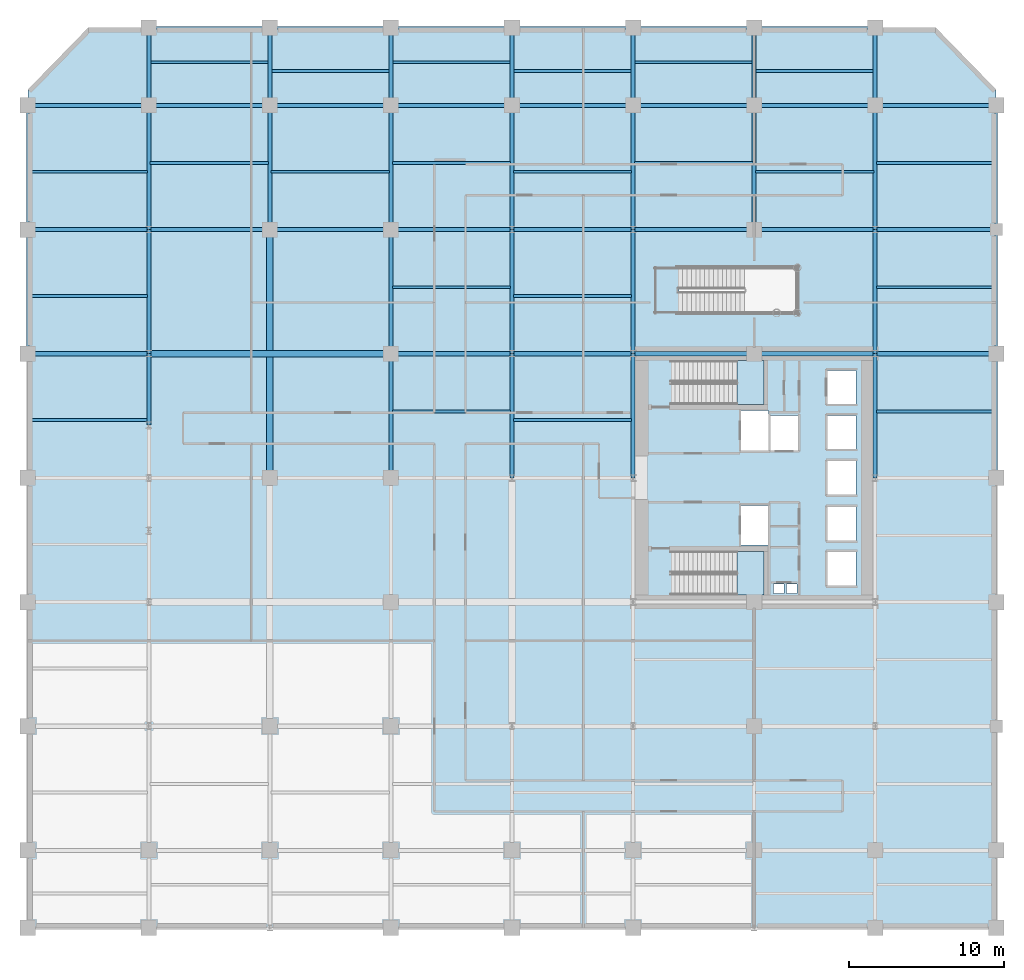
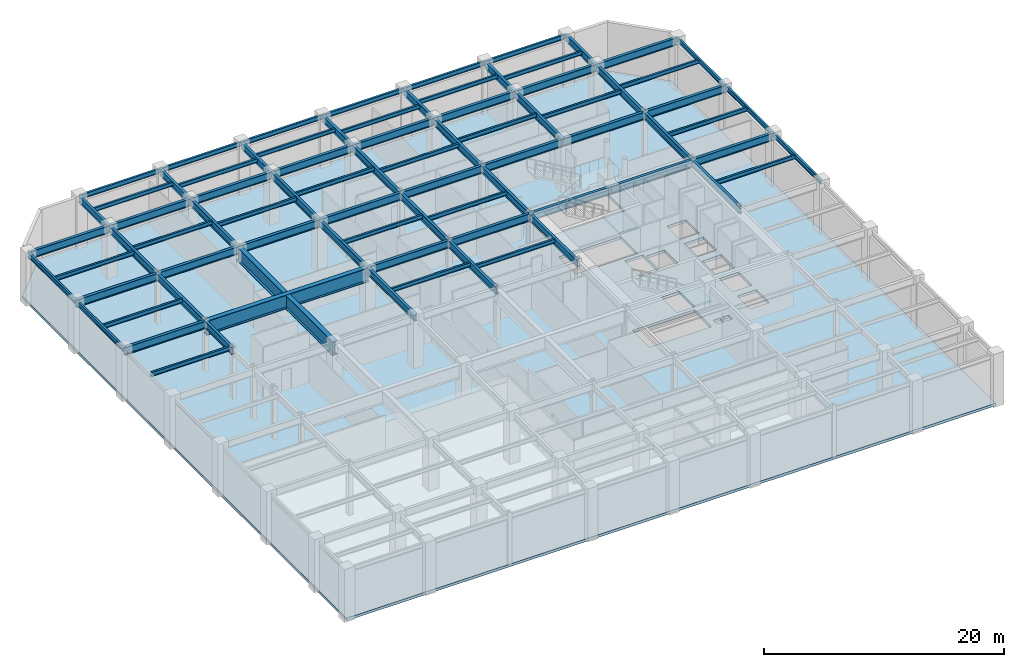
# One storey, part 6 of 12: 81 beams, 3 slabs, 2 elements without a shape of their own.
"""IFC4 building model written with IfcOpenShell, lengths in metres."""

from ifc_helpers import new_model, si_unit, direction, frame, origin, origin_2d, place, context, subcontext, project, spatial, polyline, i_section, outline, extrude, material, layer, layer_set, material_profile, profile_set, type_object, element, aggregate, save


model = new_model("IFC4")

# Units and contexts
model_context = context("Model", 3, precision=1e-05, world=origin(), true_north=direction((0.0, 1.0)))
body_context = subcontext(model_context, "Body", "Model", "MODEL_VIEW")
ifc_project = project(units=[si_unit("LENGTHUNIT", "METRE"), si_unit("AREAUNIT", "SQUARE_METRE"), si_unit("VOLUMEUNIT", "CUBIC_METRE"), si_unit("PLANEANGLEUNIT", "RADIAN"), si_unit("MASSUNIT", "GRAM", prefix="KILO")], contexts=[model_context])

# Site, building, storey
site_placement = place(None, origin())
site = spatial("IfcSite", under=ifc_project, at=site_placement, CompositionType="ELEMENT")
building_placement = place(site_placement, origin())
building = spatial("IfcBuilding", under=site, at=building_placement, Name="Veymaron Broadcast Tower", CompositionType="ELEMENT")
storey_placement = place(building_placement, frame((0.0, 0.0, 10.800048828125)))
storey = spatial("IfcBuildingStorey", under=building, at=storey_placement, Name="L02", CompositionType="ELEMENT", Elevation=10.800048828125)

# Beams
ifc_material_1 = material(Name="Structural steel ASTM A992 Gr 50", Category="steel")
ifc_material_profile_1 = material_profile(ifc_material_1, i_section(OverallWidth=0.177978515625, OverallDepth=0.406982421875, WebThickness=0.0078125, FlangeThickness=0.0126953125, at=origin_2d()), Name="W410X60")
ifc_profile_set_1 = profile_set([ifc_material_profile_1], Name="Structural steel ASTM A992 Gr 50")
beam_type_1 = type_object("IfcBeamType", Name="BM-JS1", PredefinedType="JOIST", material=ifc_profile_set_1)
for number, where, z_axis, x_axis, name in (
    (1, (0.0849609375, 27.719970703125, 4.91650390625), (1.0, 0.0, 0.0), (0.0, 1.0, 0.0), "L02 podium secondary floor joist"),
    (2, (0.0849609375, 35.719970703125, 4.91650390625), (1.0, 0.0, 0.0), (0.0, 1.0, 0.0), "L02 podium secondary floor joist"),
    (3, (0.0849609375, 43.719970703125, 4.91650390625), (1.0, 0.0, 0.0), (0.0, 1.0, 0.0), "L02 podium secondary floor joist"),
):
    element("IfcBeam", number, at=place(storey_placement, frame(where, z_axis=z_axis, x_axis=x_axis)), inside=storey, type_object=beam_type_1, Name=name, PredefinedType="JOIST", context=body_context, shape_type="SweptSolid", body=[
        extrude(i_section(OverallWidth=0.177978515625, OverallDepth=0.406982421875, WebThickness=0.0078125, FlangeThickness=0.0126953125, at=origin_2d()), origin(), (0.0, 0.0, 1.0), 7.630126953125),
    ])
for number, where, z_axis, x_axis, name in (
    (4, (7.885009765625, 44.280029296875, 4.91650390625), (1.0, 0.0, 0.0), (0.0, 1.0, 0.0), "L02 podium secondary floor joist"),
    (5, (7.885009765625, 50.780029296875, 4.91650390625), (1.0, 0.0, 0.0), (0.0, 1.0, 0.0), "L02 podium secondary floor joist"),
    (6, (15.68505859375, 43.719970703125, 4.91650390625), (1.0, 0.0, 0.0), (0.0, 1.0, 0.0), "L02 podium secondary floor joist"),
    (7, (15.68505859375, 50.219970703125, 4.91650390625), (1.0, 0.0, 0.0), (0.0, 1.0, 0.0), "L02 podium secondary floor joist"),
    (8, (23.485107421875, 28.280029296875, 4.91650390625), (1.0, 0.0, 0.0), (0.0, 1.0, 0.0), "L02 podium secondary floor joist"),
    (9, (23.485107421875, 36.280029296875, 4.91650390625), (1.0, 0.0, 0.0), (0.0, 1.0, 0.0), "L02 podium secondary floor joist"),
    (10, (23.485107421875, 44.280029296875, 4.91650390625), (1.0, 0.0, 0.0), (0.0, 1.0, 0.0), "L02 podium secondary floor joist"),
    (11, (23.485107421875, 50.780029296875, 4.91650390625), (1.0, 0.0, 0.0), (0.0, 1.0, 0.0), "L02 podium secondary floor joist"),
):
    element("IfcBeam", number, at=place(storey_placement, frame(where, z_axis=z_axis, x_axis=x_axis)), inside=storey, type_object=beam_type_1, Name=name, PredefinedType="JOIST", context=body_context, shape_type="SweptSolid", body=[
        extrude(i_section(OverallWidth=0.177978515625, OverallDepth=0.406982421875, WebThickness=0.0078125, FlangeThickness=0.0126953125, at=origin_2d()), origin(), (0.0, 0.0, 1.0), 7.6298828125),
    ])
for number, where, z_axis, x_axis, name in (
    (12, (31.284912109375, 27.719970703125, 4.91650390625), (1.0, 0.0, 0.0), (0.0, 1.0, 0.0), "L02 podium secondary floor joist"),
    (13, (31.284912109375, 35.719970703125, 4.91650390625), (1.0, 0.0, 0.0), (0.0, 1.0, 0.0), "L02 podium secondary floor joist"),
    (14, (31.284912109375, 43.719970703125, 4.91650390625), (1.0, 0.0, 0.0), (0.0, 1.0, 0.0), "L02 podium secondary floor joist"),
    (15, (31.284912109375, 50.219970703125, 4.91650390625), (1.0, 0.0, 0.0), (0.0, 1.0, 0.0), "L02 podium secondary floor joist"),
    (16, (39.0849609375, 44.280029296875, 4.91650390625), (1.0, 0.0, 0.0), (0.0, 1.0, 0.0), "L02 podium secondary floor joist"),
    (17, (39.0849609375, 50.780029296875, 4.91650390625), (1.0, 0.0, 0.0), (0.0, 1.0, 0.0), "L02 podium secondary floor joist"),
):
    element("IfcBeam", number, at=place(storey_placement, frame(where, z_axis=z_axis, x_axis=x_axis)), inside=storey, type_object=beam_type_1, Name=name, PredefinedType="JOIST", context=body_context, shape_type="SweptSolid", body=[
        extrude(i_section(OverallWidth=0.177978515625, OverallDepth=0.406982421875, WebThickness=0.0078125, FlangeThickness=0.0126953125, at=origin_2d()), origin(), (0.0, 0.0, 1.0), 7.630126953125),
    ])
for number, where, z_axis, x_axis, name in (
    (18, (46.885009765625, 43.719970703125, 4.91650390625), (1.0, 0.0, 0.0), (0.0, 1.0, 0.0), "L02 podium secondary floor joist"),
    (19, (46.885009765625, 50.219970703125, 4.91650390625), (1.0, 0.0, 0.0), (0.0, 1.0, 0.0), "L02 podium secondary floor joist"),
    (20, (54.68505859375, 28.280029296875, 4.91650390625), (1.0, 0.0, 0.0), (0.0, 1.0, 0.0), "L02 podium secondary floor joist"),
    (21, (54.68505859375, 36.280029296875, 4.91650390625), (1.0, 0.0, 0.0), (0.0, 1.0, 0.0), "L02 podium secondary floor joist"),
    (22, (54.68505859375, 44.280029296875, 4.91650390625), (1.0, 0.0, 0.0), (0.0, 1.0, 0.0), "L02 podium secondary floor joist"),
):
    element("IfcBeam", number, at=place(storey_placement, frame(where, z_axis=z_axis, x_axis=x_axis)), inside=storey, type_object=beam_type_1, Name=name, PredefinedType="JOIST", context=body_context, shape_type="SweptSolid", body=[
        extrude(i_section(OverallWidth=0.177978515625, OverallDepth=0.406982421875, WebThickness=0.0078125, FlangeThickness=0.0126953125, at=origin_2d()), origin(), (0.0, 0.0, 1.0), 7.6298828125),
    ])
ifc_material_profile_2 = material_profile(ifc_material_1, i_section(OverallWidth=0.26806640625, OverallDepth=0.77001953125, WebThickness=0.015625, FlangeThickness=0.025390625, at=origin_2d()), Name="W760X196")
ifc_profile_set_2 = profile_set([ifc_material_profile_2], Name="Structural steel ASTM A992 Gr 50")
beam_type_2 = type_object("IfcBeamType", Name="BM-PG1", PredefinedType="BEAM", material=ifc_profile_set_2)
for number, where, z_axis, x_axis, name in (
    (23, (0.0, 32.0, 4.73486328125), (1.0, 0.0, 0.0), (0.0, 1.0, 0.0), "L02 podium primary X-girder"),
    (24, (23.39990234375, 32.0, 4.73486328125), (1.0, 0.0, 0.0), (0.0, 1.0, 0.0), "L02 podium primary X-girder"),
    (25, (31.199951171875, 32.0, 4.73486328125), (1.0, 0.0, 0.0), (0.0, 1.0, 0.0), "L02 podium primary X-girder"),
    (26, (39.0, 32.0, 4.73486328125), (1.0, 0.0, 0.0), (0.0, 1.0, 0.0), "L02 podium primary X-girder"),
    (27, (46.800048828125, 32.0, 4.73486328125), (1.0, 0.0, 0.0), (0.0, 1.0, 0.0), "L02 podium primary X-girder"),
):
    element("IfcBeam", number, at=place(storey_placement, frame(where, z_axis=z_axis, x_axis=x_axis)), inside=storey, type_object=beam_type_2, Name=name, PredefinedType="BEAM", context=body_context, shape_type="SweptSolid", body=[
        extrude(i_section(OverallWidth=0.26806640625, OverallDepth=0.77001953125, WebThickness=0.015625, FlangeThickness=0.025390625, at=origin_2d()), origin(), (0.0, 0.0, 1.0), 7.800048828125),
    ])
beam_1_placement = place(storey_placement, frame((54.60009765625, 32.0, 4.73486328125), z_axis=(1.0, 0.0, 0.0), x_axis=(0.0, 1.0, 0.0)))
element("IfcBeam", 28, at=beam_1_placement, inside=storey, type_object=beam_type_2, Name="L02 podium primary X-girder", PredefinedType="BEAM", context=body_context, shape_type="SweptSolid", body=[
    extrude(i_section(OverallWidth=0.26806640625, OverallDepth=0.77001953125, WebThickness=0.015625, FlangeThickness=0.025390625, at=origin_2d()), origin(), (0.0, 0.0, 1.0), 7.7998046875),
])
for number, where, z_axis, x_axis, name in (
    (29, (0.0, 40.0, 4.73486328125), (1.0, 0.0, 0.0), (0.0, 1.0, 0.0), "L02 podium primary X-girder"),
    (30, (7.800048828125, 40.0, 4.73486328125), (1.0, 0.0, 0.0), (0.0, 1.0, 0.0), "L02 podium primary X-girder"),
):
    element("IfcBeam", number, at=place(storey_placement, frame(where, z_axis=z_axis, x_axis=x_axis)), inside=storey, type_object=beam_type_2, Name=name, PredefinedType="BEAM", context=body_context, shape_type="SweptSolid", body=[
        extrude(i_section(OverallWidth=0.26806640625, OverallDepth=0.77001953125, WebThickness=0.015625, FlangeThickness=0.025390625, at=origin_2d()), origin(), (0.0, 0.0, 1.0), 7.800048828125),
    ])
beam_2_placement = place(storey_placement, frame((15.60009765625, 40.0, 4.73486328125), z_axis=(1.0, 0.0, 0.0), x_axis=(0.0, 1.0, 0.0)))
element("IfcBeam", 31, at=beam_2_placement, inside=storey, type_object=beam_type_2, Name="L02 podium primary X-girder", PredefinedType="BEAM", context=body_context, shape_type="SweptSolid", body=[
    extrude(i_section(OverallWidth=0.26806640625, OverallDepth=0.77001953125, WebThickness=0.015625, FlangeThickness=0.025390625, at=origin_2d()), origin(), (0.0, 0.0, 1.0), 7.7998046875),
])
for number, where, z_axis, x_axis, name in (
    (32, (23.39990234375, 40.0, 4.73486328125), (1.0, 0.0, 0.0), (0.0, 1.0, 0.0), "L02 podium primary X-girder"),
    (33, (31.199951171875, 40.0, 4.73486328125), (1.0, 0.0, 0.0), (0.0, 1.0, 0.0), "L02 podium primary X-girder"),
    (34, (39.0, 40.0, 4.73486328125), (1.0, 0.0, 0.0), (0.0, 1.0, 0.0), "L02 podium primary X-girder"),
    (35, (46.800048828125, 40.0, 4.73486328125), (1.0, 0.0, 0.0), (0.0, 1.0, 0.0), "L02 podium primary X-girder"),
):
    element("IfcBeam", number, at=place(storey_placement, frame(where, z_axis=z_axis, x_axis=x_axis)), inside=storey, type_object=beam_type_2, Name=name, PredefinedType="BEAM", context=body_context, shape_type="SweptSolid", body=[
        extrude(i_section(OverallWidth=0.26806640625, OverallDepth=0.77001953125, WebThickness=0.015625, FlangeThickness=0.025390625, at=origin_2d()), origin(), (0.0, 0.0, 1.0), 7.800048828125),
    ])
beam_3_placement = place(storey_placement, frame((54.60009765625, 40.0, 4.73486328125), z_axis=(1.0, 0.0, 0.0), x_axis=(0.0, 1.0, 0.0)))
element("IfcBeam", 36, at=beam_3_placement, inside=storey, type_object=beam_type_2, Name="L02 podium primary X-girder", PredefinedType="BEAM", context=body_context, shape_type="SweptSolid", body=[
    extrude(i_section(OverallWidth=0.26806640625, OverallDepth=0.77001953125, WebThickness=0.015625, FlangeThickness=0.025390625, at=origin_2d()), origin(), (0.0, 0.0, 1.0), 7.7998046875),
])
for number, where, z_axis, x_axis, name in (
    (37, (0.0, 48.0, 4.73486328125), (1.0, 0.0, 0.0), (0.0, 1.0, 0.0), "L02 podium primary X-girder"),
    (38, (7.800048828125, 48.0, 4.73486328125), (1.0, 0.0, 0.0), (0.0, 1.0, 0.0), "L02 podium primary X-girder"),
):
    element("IfcBeam", number, at=place(storey_placement, frame(where, z_axis=z_axis, x_axis=x_axis)), inside=storey, type_object=beam_type_2, Name=name, PredefinedType="BEAM", context=body_context, shape_type="SweptSolid", body=[
        extrude(i_section(OverallWidth=0.26806640625, OverallDepth=0.77001953125, WebThickness=0.015625, FlangeThickness=0.025390625, at=origin_2d()), origin(), (0.0, 0.0, 1.0), 7.800048828125),
    ])
beam_4_placement = place(storey_placement, frame((15.60009765625, 48.0, 4.73486328125), z_axis=(1.0, 0.0, 0.0), x_axis=(0.0, 1.0, 0.0)))
element("IfcBeam", 39, at=beam_4_placement, inside=storey, type_object=beam_type_2, Name="L02 podium primary X-girder", PredefinedType="BEAM", context=body_context, shape_type="SweptSolid", body=[
    extrude(i_section(OverallWidth=0.26806640625, OverallDepth=0.77001953125, WebThickness=0.015625, FlangeThickness=0.025390625, at=origin_2d()), origin(), (0.0, 0.0, 1.0), 7.7998046875),
])
for number, where, z_axis, x_axis, name in (
    (40, (23.39990234375, 48.0, 4.73486328125), (1.0, 0.0, 0.0), (0.0, 1.0, 0.0), "L02 podium primary X-girder"),
    (41, (31.199951171875, 48.0, 4.73486328125), (1.0, 0.0, 0.0), (0.0, 1.0, 0.0), "L02 podium primary X-girder"),
    (42, (39.0, 48.0, 4.73486328125), (1.0, 0.0, 0.0), (0.0, 1.0, 0.0), "L02 podium primary X-girder"),
    (43, (46.800048828125, 48.0, 4.73486328125), (1.0, 0.0, 0.0), (0.0, 1.0, 0.0), "L02 podium primary X-girder"),
):
    element("IfcBeam", number, at=place(storey_placement, frame(where, z_axis=z_axis, x_axis=x_axis)), inside=storey, type_object=beam_type_2, Name=name, PredefinedType="BEAM", context=body_context, shape_type="SweptSolid", body=[
        extrude(i_section(OverallWidth=0.26806640625, OverallDepth=0.77001953125, WebThickness=0.015625, FlangeThickness=0.025390625, at=origin_2d()), origin(), (0.0, 0.0, 1.0), 7.800048828125),
    ])
beam_5_placement = place(storey_placement, frame((54.60009765625, 48.0, 4.73486328125), z_axis=(1.0, 0.0, 0.0), x_axis=(0.0, 1.0, 0.0)))
element("IfcBeam", 44, at=beam_5_placement, inside=storey, type_object=beam_type_2, Name="L02 podium primary X-girder", PredefinedType="BEAM", context=body_context, shape_type="SweptSolid", body=[
    extrude(i_section(OverallWidth=0.26806640625, OverallDepth=0.77001953125, WebThickness=0.015625, FlangeThickness=0.025390625, at=origin_2d()), origin(), (0.0, 0.0, 1.0), 7.7998046875),
])
ifc_material_profile_3 = material_profile(ifc_material_1, i_section(OverallWidth=0.256103515625, OverallDepth=0.693115234375, WebThickness=0.014404296875, FlangeThickness=0.023681640625, at=origin_2d()), Name="W690X170")
ifc_profile_set_3 = profile_set([ifc_material_profile_3], Name="Structural steel ASTM A992 Gr 50")
beam_type_3 = type_object("IfcBeamType", Name="BM-PG2", PredefinedType="BEAM", material=ifc_profile_set_3)
beam_6_placement = place(storey_placement, frame((7.800048828125, 27.39990234375, 4.7734375), z_axis=(0.0, 1.0, 0.0), x_axis=(-1.0, 0.0, 0.0)))
element("IfcBeam", 45, at=beam_6_placement, inside=storey, type_object=beam_type_3, Name="L02 podium primary Y-girder", PredefinedType="BEAM", context=body_context, shape_type="SweptSolid", body=[
    extrude(i_section(OverallWidth=0.256103515625, OverallDepth=0.693115234375, WebThickness=0.014404296875, FlangeThickness=0.023681640625, at=origin_2d()), origin(), (0.0, 0.0, 1.0), 4.60009765625),
])
for number, where, z_axis, x_axis, name in (
    (46, (7.800048828125, 32.0, 4.7734375), (0.0, 1.0, 0.0), (-1.0, 0.0, 0.0), "L02 podium primary Y-girder"),
    (47, (7.800048828125, 40.0, 4.7734375), (0.0, 1.0, 0.0), (-1.0, 0.0, 0.0), "L02 podium primary Y-girder"),
):
    element("IfcBeam", number, at=place(storey_placement, frame(where, z_axis=z_axis, x_axis=x_axis)), inside=storey, type_object=beam_type_3, Name=name, PredefinedType="BEAM", context=body_context, shape_type="SweptSolid", body=[
        extrude(i_section(OverallWidth=0.256103515625, OverallDepth=0.693115234375, WebThickness=0.014404296875, FlangeThickness=0.023681640625, at=origin_2d()), origin(), (0.0, 0.0, 1.0), 8.0),
    ])
beam_7_placement = place(storey_placement, frame((7.800048828125, 48.0, 4.7734375), z_axis=(0.0, 1.0, 0.0), x_axis=(-1.0, 0.0, 0.0)))
element("IfcBeam", 48, at=beam_7_placement, inside=storey, type_object=beam_type_3, Name="L02 podium primary Y-girder", PredefinedType="BEAM", context=body_context, shape_type="SweptSolid", body=[
    extrude(i_section(OverallWidth=0.256103515625, OverallDepth=0.693115234375, WebThickness=0.014404296875, FlangeThickness=0.023681640625, at=origin_2d()), origin(), (0.0, 0.0, 1.0), 5.0),
])
beam_8_placement = place(storey_placement, frame((15.60009765625, 40.0, 4.7734375), z_axis=(0.0, 1.0, 0.0), x_axis=(-1.0, 0.0, 0.0)))
element("IfcBeam", 49, at=beam_8_placement, inside=storey, type_object=beam_type_3, Name="L02 podium primary Y-girder", PredefinedType="BEAM", context=body_context, shape_type="SweptSolid", body=[
    extrude(i_section(OverallWidth=0.256103515625, OverallDepth=0.693115234375, WebThickness=0.014404296875, FlangeThickness=0.023681640625, at=origin_2d()), origin(), (0.0, 0.0, 1.0), 8.0),
])
beam_9_placement = place(storey_placement, frame((15.60009765625, 48.0, 4.7734375), z_axis=(0.0, 1.0, 0.0), x_axis=(-1.0, 0.0, 0.0)))
element("IfcBeam", 50, at=beam_9_placement, inside=storey, type_object=beam_type_3, Name="L02 podium primary Y-girder", PredefinedType="BEAM", context=body_context, shape_type="SweptSolid", body=[
    extrude(i_section(OverallWidth=0.256103515625, OverallDepth=0.693115234375, WebThickness=0.014404296875, FlangeThickness=0.023681640625, at=origin_2d()), origin(), (0.0, 0.0, 1.0), 5.0),
])
for number, where, z_axis, x_axis, name in (
    (51, (23.39990234375, 24.0, 4.7734375), (0.0, 1.0, 0.0), (-1.0, 0.0, 0.0), "L02 podium primary Y-girder"),
    (52, (23.39990234375, 32.0, 4.7734375), (0.0, 1.0, 0.0), (-1.0, 0.0, 0.0), "L02 podium primary Y-girder"),
    (53, (23.39990234375, 40.0, 4.7734375), (0.0, 1.0, 0.0), (-1.0, 0.0, 0.0), "L02 podium primary Y-girder"),
):
    element("IfcBeam", number, at=place(storey_placement, frame(where, z_axis=z_axis, x_axis=x_axis)), inside=storey, type_object=beam_type_3, Name=name, PredefinedType="BEAM", context=body_context, shape_type="SweptSolid", body=[
        extrude(i_section(OverallWidth=0.256103515625, OverallDepth=0.693115234375, WebThickness=0.014404296875, FlangeThickness=0.023681640625, at=origin_2d()), origin(), (0.0, 0.0, 1.0), 8.0),
    ])
beam_10_placement = place(storey_placement, frame((23.39990234375, 48.0, 4.7734375), z_axis=(0.0, 1.0, 0.0), x_axis=(-1.0, 0.0, 0.0)))
element("IfcBeam", 54, at=beam_10_placement, inside=storey, type_object=beam_type_3, Name="L02 podium primary Y-girder", PredefinedType="BEAM", context=body_context, shape_type="SweptSolid", body=[
    extrude(i_section(OverallWidth=0.256103515625, OverallDepth=0.693115234375, WebThickness=0.014404296875, FlangeThickness=0.023681640625, at=origin_2d()), origin(), (0.0, 0.0, 1.0), 5.0),
])
for number, where, z_axis, x_axis, name in (
    (55, (31.199951171875, 24.0, 4.7734375), (0.0, 1.0, 0.0), (-1.0, 0.0, 0.0), "L02 podium primary Y-girder"),
    (56, (31.199951171875, 32.0, 4.7734375), (0.0, 1.0, 0.0), (-1.0, 0.0, 0.0), "L02 podium primary Y-girder"),
    (57, (31.199951171875, 40.0, 4.7734375), (0.0, 1.0, 0.0), (-1.0, 0.0, 0.0), "L02 podium primary Y-girder"),
):
    element("IfcBeam", number, at=place(storey_placement, frame(where, z_axis=z_axis, x_axis=x_axis)), inside=storey, type_object=beam_type_3, Name=name, PredefinedType="BEAM", context=body_context, shape_type="SweptSolid", body=[
        extrude(i_section(OverallWidth=0.256103515625, OverallDepth=0.693115234375, WebThickness=0.014404296875, FlangeThickness=0.023681640625, at=origin_2d()), origin(), (0.0, 0.0, 1.0), 8.0),
    ])
beam_11_placement = place(storey_placement, frame((31.199951171875, 48.0, 4.7734375), z_axis=(0.0, 1.0, 0.0), x_axis=(-1.0, 0.0, 0.0)))
element("IfcBeam", 58, at=beam_11_placement, inside=storey, type_object=beam_type_3, Name="L02 podium primary Y-girder", PredefinedType="BEAM", context=body_context, shape_type="SweptSolid", body=[
    extrude(i_section(OverallWidth=0.256103515625, OverallDepth=0.693115234375, WebThickness=0.014404296875, FlangeThickness=0.023681640625, at=origin_2d()), origin(), (0.0, 0.0, 1.0), 5.0),
])
for number, where, z_axis, x_axis, name in (
    (59, (39.0, 24.0, 4.7734375), (0.0, 1.0, 0.0), (-1.0, 0.0, 0.0), "L02 podium primary Y-girder"),
    (60, (39.0, 32.0, 4.7734375), (0.0, 1.0, 0.0), (-1.0, 0.0, 0.0), "L02 podium primary Y-girder"),
    (61, (39.0, 40.0, 4.7734375), (0.0, 1.0, 0.0), (-1.0, 0.0, 0.0), "L02 podium primary Y-girder"),
):
    element("IfcBeam", number, at=place(storey_placement, frame(where, z_axis=z_axis, x_axis=x_axis)), inside=storey, type_object=beam_type_3, Name=name, PredefinedType="BEAM", context=body_context, shape_type="SweptSolid", body=[
        extrude(i_section(OverallWidth=0.256103515625, OverallDepth=0.693115234375, WebThickness=0.014404296875, FlangeThickness=0.023681640625, at=origin_2d()), origin(), (0.0, 0.0, 1.0), 8.0),
    ])
beam_12_placement = place(storey_placement, frame((39.0, 48.0, 4.7734375), z_axis=(0.0, 1.0, 0.0), x_axis=(-1.0, 0.0, 0.0)))
element("IfcBeam", 62, at=beam_12_placement, inside=storey, type_object=beam_type_3, Name="L02 podium primary Y-girder", PredefinedType="BEAM", context=body_context, shape_type="SweptSolid", body=[
    extrude(i_section(OverallWidth=0.256103515625, OverallDepth=0.693115234375, WebThickness=0.014404296875, FlangeThickness=0.023681640625, at=origin_2d()), origin(), (0.0, 0.0, 1.0), 5.0),
])
beam_13_placement = place(storey_placement, frame((46.800048828125, 40.0, 4.7734375), z_axis=(0.0, 1.0, 0.0), x_axis=(-1.0, 0.0, 0.0)))
element("IfcBeam", 63, at=beam_13_placement, inside=storey, type_object=beam_type_3, Name="L02 podium primary Y-girder", PredefinedType="BEAM", context=body_context, shape_type="SweptSolid", body=[
    extrude(i_section(OverallWidth=0.256103515625, OverallDepth=0.693115234375, WebThickness=0.014404296875, FlangeThickness=0.023681640625, at=origin_2d()), origin(), (0.0, 0.0, 1.0), 8.0),
])
beam_14_placement = place(storey_placement, frame((46.800048828125, 48.0, 4.7734375), z_axis=(0.0, 1.0, 0.0), x_axis=(-1.0, 0.0, 0.0)))
element("IfcBeam", 64, at=beam_14_placement, inside=storey, type_object=beam_type_3, Name="L02 podium primary Y-girder", PredefinedType="BEAM", context=body_context, shape_type="SweptSolid", body=[
    extrude(i_section(OverallWidth=0.256103515625, OverallDepth=0.693115234375, WebThickness=0.014404296875, FlangeThickness=0.023681640625, at=origin_2d()), origin(), (0.0, 0.0, 1.0), 5.0),
])
for number, where, z_axis, x_axis, name in (
    (65, (54.60009765625, 24.0, 4.7734375), (0.0, 1.0, 0.0), (-1.0, 0.0, 0.0), "L02 podium primary Y-girder"),
    (66, (54.60009765625, 32.0, 4.7734375), (0.0, 1.0, 0.0), (-1.0, 0.0, 0.0), "L02 podium primary Y-girder"),
    (67, (54.60009765625, 40.0, 4.7734375), (0.0, 1.0, 0.0), (-1.0, 0.0, 0.0), "L02 podium primary Y-girder"),
):
    element("IfcBeam", number, at=place(storey_placement, frame(where, z_axis=z_axis, x_axis=x_axis)), inside=storey, type_object=beam_type_3, Name=name, PredefinedType="BEAM", context=body_context, shape_type="SweptSolid", body=[
        extrude(i_section(OverallWidth=0.256103515625, OverallDepth=0.693115234375, WebThickness=0.014404296875, FlangeThickness=0.023681640625, at=origin_2d()), origin(), (0.0, 0.0, 1.0), 8.0),
    ])
beam_15_placement = place(storey_placement, frame((54.60009765625, 48.0, 4.7734375), z_axis=(0.0, 1.0, 0.0), x_axis=(-1.0, 0.0, 0.0)))
element("IfcBeam", 68, at=beam_15_placement, inside=storey, type_object=beam_type_3, Name="L02 podium primary Y-girder", PredefinedType="BEAM", context=body_context, shape_type="SweptSolid", body=[
    extrude(i_section(OverallWidth=0.256103515625, OverallDepth=0.693115234375, WebThickness=0.014404296875, FlangeThickness=0.023681640625, at=origin_2d()), origin(), (0.0, 0.0, 1.0), 5.0),
])
ifc_material_profile_4 = material_profile(ifc_material_1, i_section(OverallWidth=0.19091796875, OverallDepth=0.4599609375, WebThickness=0.010009765625, FlangeThickness=0.01611328125, at=origin_2d()), Name="W460X82")
ifc_profile_set_4 = profile_set([ifc_material_profile_4], Name="Structural steel ASTM A992 Gr 50")
beam_type_4 = type_object("IfcBeamType", Name="BM-SP1", PredefinedType="SPANDREL", material=ifc_profile_set_4)
beam_16_placement = place(storey_placement, frame((7.800048828125, 53.0, 4.889892578125), z_axis=(1.0, 0.0, 0.0), x_axis=(0.0, 1.0, 0.0)))
element("IfcBeam", 69, at=beam_16_placement, inside=storey, type_object=beam_type_4, Name="L02 podium primary X-girder", PredefinedType="SPANDREL", context=body_context, shape_type="SweptSolid", body=[
    extrude(i_section(OverallWidth=0.19091796875, OverallDepth=0.4599609375, WebThickness=0.010009765625, FlangeThickness=0.01611328125, at=origin_2d()), origin(), (0.0, 0.0, 1.0), 7.800048828125),
])
beam_17_placement = place(storey_placement, frame((15.60009765625, 53.0, 4.889892578125), z_axis=(1.0, 0.0, 0.0), x_axis=(0.0, 1.0, 0.0)))
element("IfcBeam", 70, at=beam_17_placement, inside=storey, type_object=beam_type_4, Name="L02 podium primary X-girder", PredefinedType="SPANDREL", context=body_context, shape_type="SweptSolid", body=[
    extrude(i_section(OverallWidth=0.19091796875, OverallDepth=0.4599609375, WebThickness=0.010009765625, FlangeThickness=0.01611328125, at=origin_2d()), origin(), (0.0, 0.0, 1.0), 7.7998046875),
])
for number, where, z_axis, x_axis, name in (
    (71, (23.39990234375, 53.0, 4.889892578125), (1.0, 0.0, 0.0), (0.0, 1.0, 0.0), "L02 podium primary X-girder"),
    (72, (31.199951171875, 53.0, 4.889892578125), (1.0, 0.0, 0.0), (0.0, 1.0, 0.0), "L02 podium primary X-girder"),
    (73, (39.0, 53.0, 4.889892578125), (1.0, 0.0, 0.0), (0.0, 1.0, 0.0), "L02 podium primary X-girder"),
    (74, (46.800048828125, 53.0, 4.889892578125), (1.0, 0.0, 0.0), (0.0, 1.0, 0.0), "L02 podium primary X-girder"),
):
    element("IfcBeam", number, at=place(storey_placement, frame(where, z_axis=z_axis, x_axis=x_axis)), inside=storey, type_object=beam_type_4, Name=name, PredefinedType="SPANDREL", context=body_context, shape_type="SweptSolid", body=[
        extrude(i_section(OverallWidth=0.19091796875, OverallDepth=0.4599609375, WebThickness=0.010009765625, FlangeThickness=0.01611328125, at=origin_2d()), origin(), (0.0, 0.0, 1.0), 7.800048828125),
    ])
for number, where, z_axis, x_axis, name in (
    (75, (0.0, 32.0, 4.889892578125), (0.0, 1.0, 0.0), (-1.0, 0.0, 0.0), "L02 podium primary Y-girder"),
    (76, (0.0, 40.0, 4.889892578125), (0.0, 1.0, 0.0), (-1.0, 0.0, 0.0), "L02 podium primary Y-girder"),
    (77, (62.39990234375, 24.0, 4.889892578125), (0.0, 1.0, 0.0), (-1.0, 0.0, 0.0), "L02 podium primary Y-girder"),
    (78, (62.39990234375, 32.0, 4.889892578125), (0.0, 1.0, 0.0), (-1.0, 0.0, 0.0), "L02 podium primary Y-girder"),
    (79, (62.39990234375, 40.0, 4.889892578125), (0.0, 1.0, 0.0), (-1.0, 0.0, 0.0), "L02 podium primary Y-girder"),
):
    element("IfcBeam", number, at=place(storey_placement, frame(where, z_axis=z_axis, x_axis=x_axis)), inside=storey, type_object=beam_type_4, Name=name, PredefinedType="SPANDREL", context=body_context, shape_type="SweptSolid", body=[
        extrude(i_section(OverallWidth=0.19091796875, OverallDepth=0.4599609375, WebThickness=0.010009765625, FlangeThickness=0.01611328125, at=origin_2d()), origin(), (0.0, 0.0, 1.0), 8.0),
    ])
ifc_material_2 = material(Name="Structural steel ASTM A913 Gr 65", Category="steel")
ifc_material_profile_5 = material_profile(ifc_material_2, i_section(OverallWidth=0.429931640625, OverallDepth=1.419921875, WebThickness=0.030029296875, FlangeThickness=0.050048828125, at=origin_2d()), Name="W1400X550")
ifc_profile_set_5 = profile_set([ifc_material_profile_5], Name="Structural steel ASTM A913 Gr 65")
beam_type_5 = type_object("IfcBeamType", Name="BM-TG0", PredefinedType="BEAM", material=ifc_profile_set_5)
beam_18_placement = place(storey_placement, frame((7.800048828125, 32.0, 4.409912109375), z_axis=(1.0, 0.0, 0.0), x_axis=(0.0, 1.0, 0.0)))
element("IfcBeam", 80, at=beam_18_placement, inside=storey, type_object=beam_type_5, Name="L02 podium primary X-girder", PredefinedType="BEAM", context=body_context, shape_type="SweptSolid", body=[
    extrude(i_section(OverallWidth=0.429931640625, OverallDepth=1.419921875, WebThickness=0.030029296875, FlangeThickness=0.050048828125, at=origin_2d()), origin(), (0.0, 0.0, 1.0), 15.599853515625),
])
beam_19_placement = place(storey_placement, frame((15.60009765625, 24.0, 4.409912109375), z_axis=(0.0, 1.0, 0.0), x_axis=(-1.0, 0.0, 0.0)))
element("IfcBeam", 81, at=beam_19_placement, inside=storey, type_object=beam_type_5, Name="L02 podium primary Y-girder", PredefinedType="BEAM", context=body_context, shape_type="SweptSolid", body=[
    extrude(i_section(OverallWidth=0.429931640625, OverallDepth=1.419921875, WebThickness=0.030029296875, FlangeThickness=0.050048828125, at=origin_2d()), origin(), (0.0, 0.0, 1.0), 16.0),
])

# Slab
ifc_material_3 = material(Name="Concrete C40/50", Category="concrete")
ifc_layer_1 = layer(ifc_material_3, 0.280029296875)
ifc_layer_set_1 = layer_set([ifc_layer_1], Name="Concrete C40/50")
slab_type_1 = type_object("IfcSlabType", Name="SLAB-FS3", PredefinedType="FLOOR", material=ifc_layer_set_1)
slab_1_placement = place(storey_placement, frame((0.0, 0.0, -0.280029296875)))
element("IfcSlab", 82, at=slab_1_placement, inside=storey, type_object=slab_type_1, Name="L02 structural floor slab", PredefinedType="FLOOR", context=body_context, shape_type="SweptSolid", body=[
    extrude(outline(polyline([(0.0, -5.0), (62.39990234375, -5.0), (62.39990234375, 49.0), (58.5, 53.0), (3.89990234375, 53.0), (0.0, 49.0), (0.0, -5.0)]), holes=[polyline([(45.969970703125, 28.330078125), (47.72998046875, 28.330078125), (47.72998046875, 25.77001953125), (45.969970703125, 25.77001953125), (45.969970703125, 28.330078125)]), polyline([(45.969970703125, 22.22998046875), (47.72998046875, 22.22998046875), (47.72998046875, 19.669921875), (45.969970703125, 19.669921875), (45.969970703125, 22.22998046875)]), polyline([(47.8701171875, 28.030029296875), (49.6298828125, 28.030029296875), (49.6298828125, 25.77001953125), (47.8701171875, 25.77001953125), (47.8701171875, 28.030029296875)]), polyline([(51.52001953125, 30.929931640625), (53.3798828125, 30.929931640625), (53.3798828125, 28.77001953125), (51.52001953125, 28.77001953125), (51.52001953125, 30.929931640625)]), polyline([(51.52001953125, 28.030029296875), (53.3798828125, 28.030029296875), (53.3798828125, 25.8701171875), (51.52001953125, 25.8701171875), (51.52001953125, 28.030029296875)]), polyline([(51.52001953125, 22.1298828125), (53.3798828125, 22.1298828125), (53.3798828125, 19.969970703125), (51.52001953125, 19.969970703125), (51.52001953125, 22.1298828125)]), polyline([(51.52001953125, 25.080078125), (53.3798828125, 25.080078125), (53.3798828125, 22.919921875), (51.52001953125, 22.919921875), (51.52001953125, 25.080078125)]), polyline([(51.52001953125, 19.22998046875), (53.3798828125, 19.22998046875), (53.3798828125, 17.070068359375), (51.52001953125, 17.070068359375), (51.52001953125, 19.22998046875)]), polyline([(48.050048828125, 17.159912109375), (48.719970703125, 17.159912109375), (48.719970703125, 16.56005859375), (48.050048828125, 16.56005859375), (48.050048828125, 17.159912109375)]), polyline([(48.8798828125, 17.159912109375), (49.550048828125, 17.159912109375), (49.550048828125, 16.56005859375), (48.8798828125, 16.56005859375), (48.8798828125, 17.159912109375)]), polyline([(41.489990234375, 31.550048828125), (47.43994140625, 31.550048828125), (47.43994140625, 28.72998046875), (41.489990234375, 28.72998046875), (41.489990234375, 31.550048828125)]), polyline([(41.489990234375, 19.27001953125), (47.43994140625, 19.27001953125), (47.43994140625, 16.449951171875), (41.489990234375, 16.449951171875), (41.489990234375, 19.27001953125)]), polyline([(41.9599609375, 37.56005859375), (49.60009765625, 37.56005859375), (49.60009765625, 34.60009765625), (41.9599609375, 34.60009765625), (41.9599609375, 37.56005859375)])]), origin(), (0.0, 0.0, 1.0), 0.280029296875),
])

# Stair, slab
ifc_material_4 = material(Name="Concrete C50/60", Category="concrete")
stair_type_1 = type_object("IfcStairType", Name="STAIR-CORE-1", PredefinedType="HALF_TURN_STAIR", material=ifc_material_4)
stair_1_placement = place(storey_placement, origin())
stair_1 = element("IfcStair", 83, at=stair_1_placement, inside=storey, type_object=stair_type_1, Name="L02 North protected dog-leg exit stair ST1", PredefinedType="HALF_TURN_STAIR")
ifc_layer_2 = layer(ifc_material_4, 0.199951171875)
ifc_layer_set_2 = layer_set([ifc_layer_2], Name="Concrete C50/60")
slab_type_2 = type_object("IfcSlabType", Name="SLAB-STAIR-LDG", PredefinedType="LANDING", material=ifc_layer_set_2)
slab_2_placement = place(storey_placement, frame((0.0, 0.0, 2.5)))
slab_2 = element("IfcSlab", 84, at=slab_2_placement, type_object=slab_type_2, Name="ST1 landing 1", PredefinedType="LANDING", context=body_context, shape_type="SweptSolid", body=[
    extrude(outline(polyline([(45.705078125, 28.72998046875), (47.43994140625, 28.72998046875), (47.43994140625, 31.550048828125), (45.705078125, 31.550048828125), (45.705078125, 28.72998046875)])), origin(), (0.0, 0.0, 1.0), 0.199951171875),
])
aggregate(stair_1, [slab_2])

stair_type_2 = type_object("IfcStairType", Name="STAIR-CORE-2", PredefinedType="HALF_TURN_STAIR", material=ifc_material_4)
stair_2_placement = place(storey_placement, origin())
stair_2 = element("IfcStair", 85, at=stair_2_placement, inside=storey, type_object=stair_type_2, Name="L02 South protected dog-leg exit stair ST2", PredefinedType="HALF_TURN_STAIR")
slab_3_placement = place(storey_placement, frame((0.0, 0.0, 2.5)))
slab_3 = element("IfcSlab", 86, at=slab_3_placement, type_object=slab_type_2, Name="ST2 landing 1", PredefinedType="LANDING", context=body_context, shape_type="SweptSolid", body=[
    extrude(outline(polyline([(45.705078125, 16.449951171875), (47.43994140625, 16.449951171875), (47.43994140625, 19.27001953125), (45.705078125, 19.27001953125), (45.705078125, 16.449951171875)])), origin(), (0.0, 0.0, 1.0), 0.199951171875),
])
aggregate(stair_2, [slab_3])

save(model, "model.ifc")
